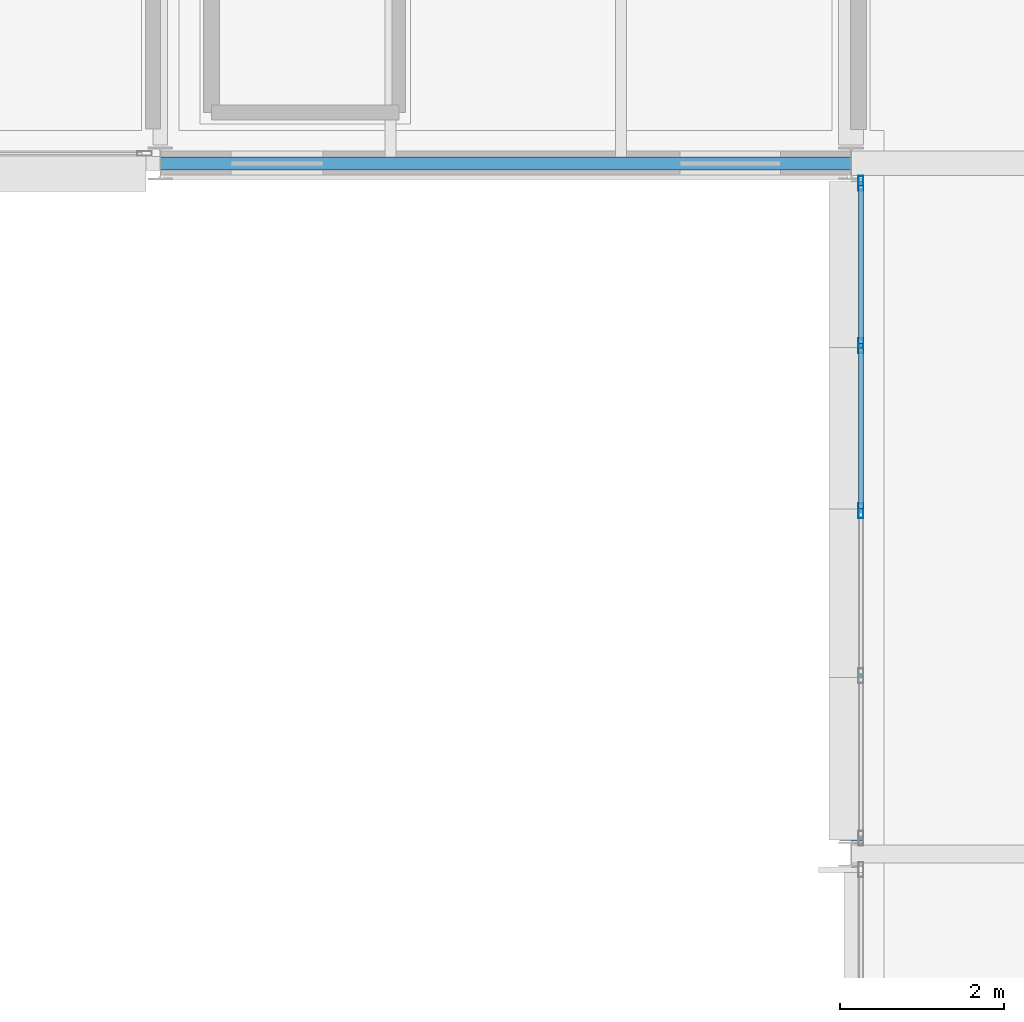
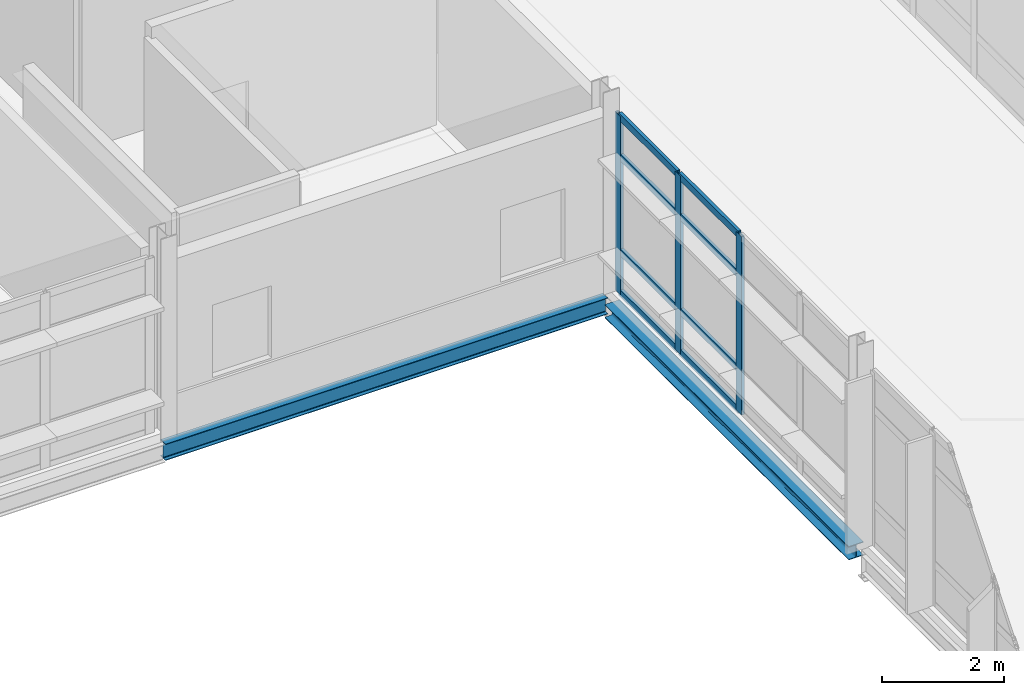
# One storey, part 38 of 66: 11 members, 2 beams, 1 element without a shape of its own.
"""IFC4 building model written with IfcOpenShell, lengths in metres."""

from ifc_helpers import new_model, si_unit, direction, frame, origin, origin_2d, place, context, subcontext, project, spatial, hollow_rectangle, i_section, extrude, material, material_profile, profile_set, type_object, element, aggregate, save


model = new_model("IFC4")

# Units and contexts
model_context = context("Model", 3, precision=1e-05, world=origin(), true_north=direction((0.0, 1.0)))
body_context = subcontext(model_context, "Body", "Model", "MODEL_VIEW")
ifc_project = project(units=[si_unit("LENGTHUNIT", "METRE"), si_unit("AREAUNIT", "SQUARE_METRE"), si_unit("VOLUMEUNIT", "CUBIC_METRE"), si_unit("PLANEANGLEUNIT", "RADIAN"), si_unit("MASSUNIT", "GRAM", prefix="KILO")], contexts=[model_context])

# Site, building, storey
site_placement = place(None, origin())
site = spatial("IfcSite", under=ifc_project, at=site_placement, CompositionType="ELEMENT")
building_placement = place(site_placement, origin())
building = spatial("IfcBuilding", under=site, at=building_placement, Name="Mersafa Astral City Hall", CompositionType="ELEMENT")
storey_placement = place(building_placement, frame((0.0, 0.0, 22.050048828125)))
storey = spatial("IfcBuildingStorey", under=building, at=storey_placement, Name="L05", CompositionType="ELEMENT", Elevation=22.050048828125)

# Curtain wall, members
ifc_material_1 = material(Name="Anodised bronze aluminium framing", Category="aluminium")
curtain_wall_type = type_object("IfcCurtainWallType", Name="ENV-CW-6", PredefinedType="USERDEFINED", material=ifc_material_1)
curtain_wall_placement = place(storey_placement, origin())
curtain_wall = element("IfcCurtainWall", 1, at=curtain_wall_placement, inside=storey, type_object=curtain_wall_type, Name="L05 Unitised solar curtain wall 245", ObjectType="UNITISED CURTAIN WALL", PredefinedType="USERDEFINED")
ifc_material_profile_1 = material_profile(ifc_material_1, hollow_rectangle(XDim=0.06005859375, YDim=0.179931640625, WallThickness=0.00390625, at=origin_2d()), Name="RHS 60x180x4")
ifc_profile_set_1 = profile_set([ifc_material_profile_1], Name="Anodised bronze aluminium framing")
member_type_1 = type_object("IfcMemberType", Name="ENV-CW-MUL-1", PredefinedType="MULLION", material=ifc_profile_set_1)
member_1_placement = place(storey_placement, frame((168.1201171875, 100.55810546875, -0.001953125), z_axis=(0.0, 0.0, 1.0), x_axis=(1.0, 0.0, 0.0)))
member_1 = element("IfcMember", 2, at=member_1_placement, type_object=member_type_1, Name="CW-6 mullion 1", PredefinedType="MULLION", context=body_context, shape_type="SweptSolid", body=[
    extrude(hollow_rectangle(XDim=0.06005859375, YDim=0.179931640625, WallThickness=0.00390625, at=origin_2d()), origin(), (0.0, 0.0, 1.0), 3.578857421875),
])
member_2_placement = place(storey_placement, frame((168.1201171875, 98.58154296875, -0.001953125), z_axis=(0.0, 0.0, 1.0), x_axis=(1.0, 0.0, 0.0)))
member_2 = element("IfcMember", 3, at=member_2_placement, type_object=member_type_1, Name="CW-6 mullion 2", PredefinedType="MULLION", context=body_context, shape_type="SweptSolid", body=[
    extrude(hollow_rectangle(XDim=0.06005859375, YDim=0.179931640625, WallThickness=0.00390625, at=origin_2d()), origin(), (0.0, 0.0, 1.0), 3.578857421875),
])
member_3_placement = place(storey_placement, frame((168.1201171875, 96.574951171875, -0.001953125), z_axis=(0.0, 0.0, 1.0), x_axis=(1.0, 0.0, 0.0)))
member_3 = element("IfcMember", 4, at=member_3_placement, type_object=member_type_1, Name="CW-6 mullion 3", PredefinedType="MULLION", context=body_context, shape_type="SweptSolid", body=[
    extrude(hollow_rectangle(XDim=0.06005859375, YDim=0.179931640625, WallThickness=0.00390625, at=origin_2d()), origin(), (0.0, 0.0, 1.0), 3.578857421875),
])
ifc_material_profile_2 = material_profile(ifc_material_1, hollow_rectangle(XDim=0.06005859375, YDim=0.139892578125, WallThickness=0.00390625, at=origin_2d()), Name="RHS 60x140x4")
ifc_profile_set_2 = profile_set([ifc_material_profile_2], Name="Anodised bronze aluminium framing")
member_type_2 = type_object("IfcMemberType", Name="ENV-CW-TRN-1", PredefinedType="USERDEFINED", material=ifc_profile_set_2)
member_4_placement = place(storey_placement, frame((168.1201171875, 100.528076171875, 0.02783203125), z_axis=(0.0, -1.0, 0.0), x_axis=(1.0, 0.0, 0.0)))
member_4 = element("IfcMember", 5, at=member_4_placement, type_object=member_type_2, Name="CW-6 transom 1.1", ObjectType="TRANSOM", PredefinedType="USERDEFINED", context=body_context, shape_type="SweptSolid", body=[
    extrude(hollow_rectangle(XDim=0.06005859375, YDim=0.139892578125, WallThickness=0.00390625, at=origin_2d()), origin(), (0.0, 0.0, 1.0), 1.91650390625),
])
member_5_placement = place(storey_placement, frame((168.1201171875, 100.528076171875, 0.849853515625), z_axis=(0.0, -1.0, 0.0), x_axis=(1.0, 0.0, 0.0)))
member_5 = element("IfcMember", 6, at=member_5_placement, type_object=member_type_2, Name="CW-6 transom 1.2", ObjectType="TRANSOM", PredefinedType="USERDEFINED", context=body_context, shape_type="SweptSolid", body=[
    extrude(hollow_rectangle(XDim=0.06005859375, YDim=0.139892578125, WallThickness=0.00390625, at=origin_2d()), origin(), (0.0, 0.0, 1.0), 1.91650390625),
])
member_6_placement = place(storey_placement, frame((168.1201171875, 100.528076171875, 2.75), z_axis=(0.0, -1.0, 0.0), x_axis=(1.0, 0.0, 0.0)))
member_6 = element("IfcMember", 7, at=member_6_placement, type_object=member_type_2, Name="CW-6 transom 1.3", ObjectType="TRANSOM", PredefinedType="USERDEFINED", context=body_context, shape_type="SweptSolid", body=[
    extrude(hollow_rectangle(XDim=0.06005859375, YDim=0.139892578125, WallThickness=0.00390625, at=origin_2d()), origin(), (0.0, 0.0, 1.0), 1.91650390625),
])
member_7_placement = place(storey_placement, frame((168.1201171875, 100.528076171875, 3.546875), z_axis=(0.0, -1.0, 0.0), x_axis=(1.0, 0.0, 0.0)))
member_7 = element("IfcMember", 8, at=member_7_placement, type_object=member_type_2, Name="CW-6 transom 1.4", ObjectType="TRANSOM", PredefinedType="USERDEFINED", context=body_context, shape_type="SweptSolid", body=[
    extrude(hollow_rectangle(XDim=0.06005859375, YDim=0.139892578125, WallThickness=0.00390625, at=origin_2d()), origin(), (0.0, 0.0, 1.0), 1.91650390625),
])
member_8_placement = place(storey_placement, frame((168.1201171875, 98.551513671875, 0.02783203125), z_axis=(0.0, -1.0, 0.0), x_axis=(1.0, 0.0, 0.0)))
member_8 = element("IfcMember", 9, at=member_8_placement, type_object=member_type_2, Name="CW-6 transom 2.1", ObjectType="TRANSOM", PredefinedType="USERDEFINED", context=body_context, shape_type="SweptSolid", body=[
    extrude(hollow_rectangle(XDim=0.06005859375, YDim=0.139892578125, WallThickness=0.00390625, at=origin_2d()), origin(), (0.0, 0.0, 1.0), 1.946533203125),
])
member_9_placement = place(storey_placement, frame((168.1201171875, 98.551513671875, 0.849853515625), z_axis=(0.0, -1.0, 0.0), x_axis=(1.0, 0.0, 0.0)))
member_9 = element("IfcMember", 10, at=member_9_placement, type_object=member_type_2, Name="CW-6 transom 2.2", ObjectType="TRANSOM", PredefinedType="USERDEFINED", context=body_context, shape_type="SweptSolid", body=[
    extrude(hollow_rectangle(XDim=0.06005859375, YDim=0.139892578125, WallThickness=0.00390625, at=origin_2d()), origin(), (0.0, 0.0, 1.0), 1.946533203125),
])
member_10_placement = place(storey_placement, frame((168.1201171875, 98.551513671875, 2.75), z_axis=(0.0, -1.0, 0.0), x_axis=(1.0, 0.0, 0.0)))
member_10 = element("IfcMember", 11, at=member_10_placement, type_object=member_type_2, Name="CW-6 transom 2.3", ObjectType="TRANSOM", PredefinedType="USERDEFINED", context=body_context, shape_type="SweptSolid", body=[
    extrude(hollow_rectangle(XDim=0.06005859375, YDim=0.139892578125, WallThickness=0.00390625, at=origin_2d()), origin(), (0.0, 0.0, 1.0), 1.946533203125),
])
member_11_placement = place(storey_placement, frame((168.1201171875, 98.551513671875, 3.546875), z_axis=(0.0, -1.0, 0.0), x_axis=(1.0, 0.0, 0.0)))
member_11 = element("IfcMember", 12, at=member_11_placement, type_object=member_type_2, Name="CW-6 transom 2.4", ObjectType="TRANSOM", PredefinedType="USERDEFINED", context=body_context, shape_type="SweptSolid", body=[
    extrude(hollow_rectangle(XDim=0.06005859375, YDim=0.139892578125, WallThickness=0.00390625, at=origin_2d()), origin(), (0.0, 0.0, 1.0), 1.946533203125),
])
aggregate(curtain_wall, [member_1, member_2, member_3, member_4, member_5, member_6, member_7, member_8, member_9, member_10, member_11])

# Beams
ifc_material_2 = material(Name="Steel S355", Category="steel")
ifc_material_profile_3 = material_profile(ifc_material_2, i_section(OverallWidth=0.280029296875, OverallDepth=0.27001953125, WebThickness=0.008056640625, FlangeThickness=0.012939453125, FilletRadius=0.02392578125, at=origin_2d()), Name="HEA 280")
ifc_profile_set_3 = profile_set([ifc_material_profile_3], Name="Steel S355")
beam_type_1 = type_object("IfcBeamType", Name="STR-BM-SPANDREL-HEA280", PredefinedType="SPANDREL", material=ifc_profile_set_3)
beam_1_placement = place(storey_placement, frame((168.0, 92.56494140625, -0.31494140625), z_axis=(0.0, 1.0, 0.0), x_axis=(-1.0, 0.0, 0.0)))
element("IfcBeam", 13, at=beam_1_placement, inside=storey, type_object=beam_type_1, Name="L05 Primary girder Y 20-11", PredefinedType="SPANDREL", context=body_context, shape_type="SweptSolid", body=[
    extrude(i_section(OverallWidth=0.280029296875, OverallDepth=0.27001953125, WebThickness=0.008056640625, FlangeThickness=0.012939453125, FilletRadius=0.02392578125, at=origin_2d()), origin(), (0.0, 0.0, 1.0), 8.01513671875),
])
ifc_material_profile_4 = material_profile(ifc_material_2, i_section(OverallWidth=0.159912109375, OverallDepth=0.330078125, WebThickness=0.007568359375, FlangeThickness=0.011474609375, FilletRadius=0.01806640625, at=origin_2d()), Name="IPE 330")
ifc_profile_set_4 = profile_set([ifc_material_profile_4], Name="Steel S355")
beam_type_2 = type_object("IfcBeamType", Name="STR-BM-SPANDREL-IPE330", PredefinedType="SPANDREL", material=ifc_profile_set_4)
beam_2_placement = place(storey_placement, frame((159.60302734375, 100.800048828125, -0.344970703125), z_axis=(1.0, 0.0, 0.0), x_axis=(0.0, 1.0, 0.0)))
element("IfcBeam", 14, at=beam_2_placement, inside=storey, type_object=beam_type_2, Name="L05 Primary girder X 19-12", PredefinedType="SPANDREL", context=body_context, shape_type="SweptSolid", body=[
    extrude(i_section(OverallWidth=0.159912109375, OverallDepth=0.330078125, WebThickness=0.007568359375, FlangeThickness=0.011474609375, FilletRadius=0.01806640625, at=origin_2d()), origin(), (0.0, 0.0, 1.0), 8.39404296875),
])

save(model, "model.ifc")
